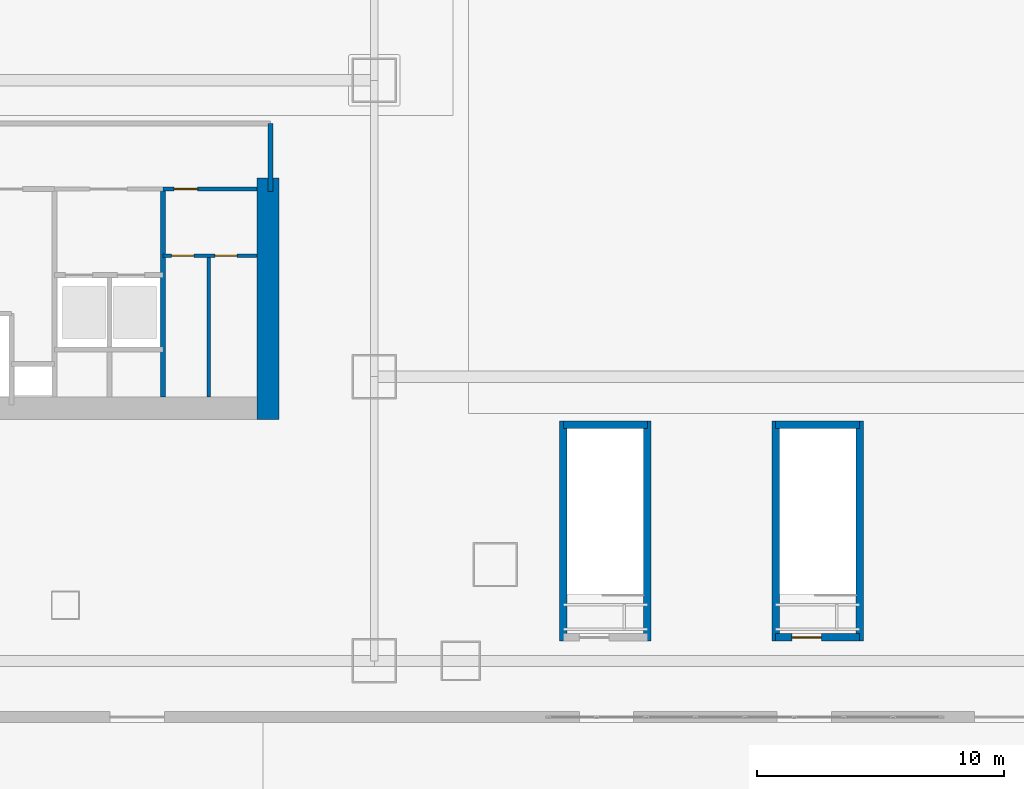
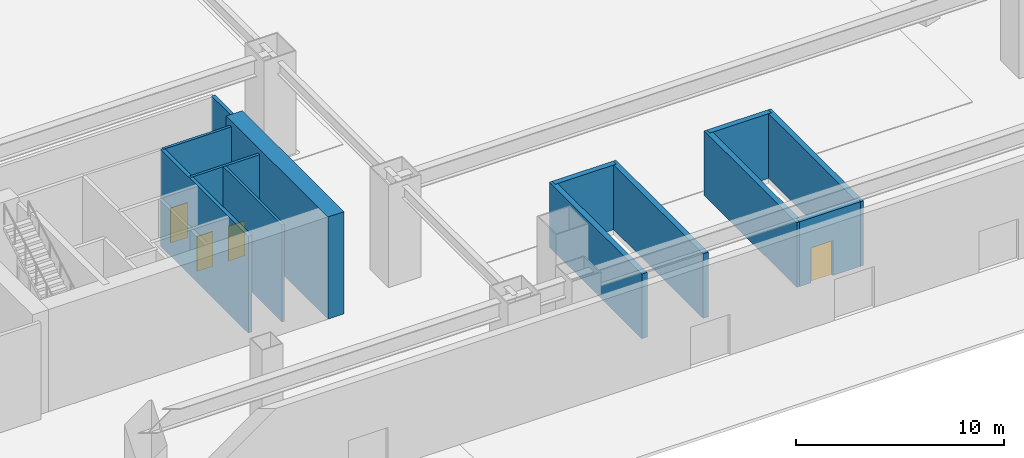
# One storey, part 14 of 31: 13 walls, 4 doors, 4 openings.
"""IFC4 building model written with IfcOpenShell, lengths in metres."""

import ifcopenshell
import ifcopenshell.guid

model = None  # the IFC model being written
_history = None  # IfcOwnerHistory: only IFC2X3 demands one
_inside = {}  # id of a spatial element -> (the spatial element, [elements in it])
_under = {}  # id of a project, library or spatial element -> (it, [spatial elements below it])
_declared = {}  # id of a project -> (the project, [libraries it declares])
_typed = {}  # id of a type object -> (the type object, [elements of that type])
_made_of = {}  # id of a material, layer set ... -> (it, [elements and type objects made of it])


def new_model(schema):
    """Start an empty IFC model of exactly this schema.

    Asked for "IFC4X3", IfcOpenShell would pick the latest addendum, in which some entities
    have other attributes; the version numbers below select the first issue.
    IFC2X3 requires an IfcOwnerHistory on every rooted entity: one is made here for all.
    """
    global model, _history
    if schema == "IFC4X3":
        model = ifcopenshell.file(schema_version=(4, 3, 0, 0))
    else:
        model = ifcopenshell.file(schema=schema)
    _inside.clear()
    _under.clear()
    _declared.clear()
    _typed.clear()
    _made_of.clear()
    _history = None
    if model.schema == "IFC2X3":
        org = make("IfcOrganization", Name="unknown")
        user = make(
            "IfcPersonAndOrganization",
            ThePerson=make("IfcPerson", FamilyName="unknown"),
            TheOrganization=org,
        )
        app = make(
            "IfcApplication",
            ApplicationDeveloper=org,
            Version="unknown",
            ApplicationFullName="unknown",
            ApplicationIdentifier="unknown",
        )
        _history = make(
            "IfcOwnerHistory",
            OwningUser=user,
            OwningApplication=app,
            ChangeAction="ADDED",
            CreationDate=0,
        )
    return model


def make(cls, **values):
    """One entity of the class cls with the attributes given. An attribute that is None is left unset."""
    return model.create_entity(
        cls, **{name: value for name, value in values.items() if value is not None}
    )


def rooted(cls, **values):
    """An entity with a GlobalId (a new one), such as an element, a storey or a relation."""
    return make(cls, GlobalId=ifcopenshell.guid.new(), OwnerHistory=_history, **values)


def si_unit(unit_type, name, prefix=None):
    """IfcSIUnit, for example si_unit("LENGTHUNIT", "METRE", prefix="MILLI")."""
    return make("IfcSIUnit", UnitType=unit_type, Prefix=prefix, Name=name)


def assignment(units):
    """IfcUnitAssignment: the units of a project."""
    return None if units is None else make("IfcUnitAssignment", Units=units)


def point(xyz):
    """IfcCartesianPoint."""
    return None if xyz is None else make("IfcCartesianPoint", Coordinates=xyz)


def direction(xyz):
    """IfcDirection."""
    return None if xyz is None else make("IfcDirection", DirectionRatios=xyz)


def frame(location, z_axis=None, x_axis=None):
    """IfcAxis2Placement3D, a coordinate frame: its origin and axes. An axis left out is left unset."""
    return make(
        "IfcAxis2Placement3D",
        Location=point(location),
        Axis=direction(z_axis),
        RefDirection=direction(x_axis),
    )


def frame_2d(location, x_axis=None):
    """IfcAxis2Placement2D, a coordinate frame in the plane: its origin and x axis."""
    return make(
        "IfcAxis2Placement2D", Location=point(location), RefDirection=direction(x_axis)
    )


def origin():
    """The frame at (0, 0, 0) with its axes left unset."""
    return frame((0.0, 0.0, 0.0))


def place(relative_to, where):
    """IfcLocalPlacement: puts the frame where relative to a parent placement (None: the world)."""
    return make(
        "IfcLocalPlacement", PlacementRelTo=relative_to, RelativePlacement=where
    )


def context(
    kind, dimensions, precision=None, world=None, true_north=None, identifier=None
):
    """IfcGeometricRepresentationContext, for example the 3D "Model" context."""
    return make(
        "IfcGeometricRepresentationContext",
        ContextIdentifier=identifier,
        ContextType=kind,
        CoordinateSpaceDimension=dimensions,
        Precision=precision,
        WorldCoordinateSystem=world,
        TrueNorth=true_north,
    )


def subcontext(parent, identifier, kind, view, scale=None):
    """IfcGeometricRepresentationSubContext, for example "Body" below "Model"."""
    return make(
        "IfcGeometricRepresentationSubContext",
        ContextIdentifier=identifier,
        ContextType=kind,
        ParentContext=parent,
        TargetScale=scale,
        TargetView=view,
    )


def project(units=None, contexts=None):
    """IfcProject with its units and contexts."""
    return rooted(
        "IfcProject",
        Name="project",
        RepresentationContexts=contexts,
        UnitsInContext=assignment(units),
    )


def spatial(cls, under=None, at=None, **own):
    """A site, building, storey or space (cls), placed at a placement, below another one or the project."""
    s = rooted(cls, ObjectPlacement=at, **own)
    if under is not None:
        _under.setdefault(under.id(), (under, []))[1].append(s)
    return s


def profile(cls, at=None, kind="AREA", **sizes):
    """A parametric profile (cls). Its sizes go by their IFC names, for example OverallWidth=200.0."""
    return make(cls, ProfileType=kind, Position=at, **sizes)


def rectangle(**sizes):
    """IfcRectangleProfileDef."""
    return profile("IfcRectangleProfileDef", **sizes)


def extrude(swept, where, along, depth):
    """IfcExtrudedAreaSolid: the profile swept, set in the frame where, extruded along a direction by depth."""
    return make(
        "IfcExtrudedAreaSolid",
        SweptArea=swept,
        Position=where,
        ExtrudedDirection=direction(along),
        Depth=depth,
    )


def shape(context_of_items, identifier, shape_type, items):
    """IfcShapeRepresentation: the items that make up one representation, for example the "Body"."""
    return make(
        "IfcShapeRepresentation",
        ContextOfItems=context_of_items,
        RepresentationIdentifier=identifier,
        RepresentationType=shape_type,
        Items=items,
    )


def material(Name=None, Category=None):
    """IfcMaterial."""
    return make("IfcMaterial", Name=Name, Category=Category)


def layer(
    of_material, thickness, ventilated=None, Name=None, Category=None, Priority=None
):
    """IfcMaterialLayer: one layer of a wall or slab, of a material (None: an air gap)."""
    return make(
        "IfcMaterialLayer",
        Material=of_material,
        LayerThickness=thickness,
        IsVentilated=ventilated,
        Name=Name,
        Category=Category,
        Priority=Priority,
    )


def layer_set(layers, Name=None):
    """IfcMaterialLayerSet."""
    return make("IfcMaterialLayerSet", MaterialLayers=layers, LayerSetName=Name)


def made_of(thing, what):
    """Note that an element or type object is made of a material, layer set ...; save() writes the relation."""
    if what is not None:
        _made_of.setdefault(what.id(), (what, []))[1].append(thing)
    return thing


def type_object(cls, material=None, **own):
    """A type object (cls), such as IfcWallType, which elements share."""
    return made_of(rooted(cls, **own), material)


def element(
    cls,
    number,
    at=None,
    inside=None,
    cuts=None,
    type_object=None,
    material=None,
    context=None,
    identifier="Body",
    shape_type=None,
    held_by="IfcProductDefinitionShape",
    body=None,
    shapes=None,
    **own,
):
    """One element of the class cls, such as IfcWall. Its Tag is "e" and its number.

    at: its placement. inside: the storey or other place that contains it. cuts: it is an
    opening in that element (IfcRelVoidsElement). A single representation is given by context,
    identifier, shape_type and body (its items); several are given by shapes. held_by: the class
    of the entity that holds the representations. save() writes the other relations.
    """
    e = rooted(cls, Tag="e%d" % number, ObjectPlacement=at, **own)
    if body is not None:
        shapes = [shape(context, identifier, shape_type, body)]
    if shapes is not None:
        e.Representation = make(held_by, Representations=shapes)
    if inside is not None:
        _inside.setdefault(inside.id(), (inside, []))[1].append(e)
    if cuts is not None:
        rooted(
            "IfcRelVoidsElement", RelatingBuildingElement=cuts, RelatedOpeningElement=e
        )
    if type_object is not None:
        _typed.setdefault(type_object.id(), (type_object, []))[1].append(e)
    return made_of(e, material)


def fill(opening, filler):
    """IfcRelFillsElement: the door or window that sits in an opening."""
    return rooted(
        "IfcRelFillsElement",
        RelatingOpeningElement=opening,
        RelatedBuildingElement=filler,
    )


def aggregate(whole, parts):
    """IfcRelAggregates: a whole, such as a stair, and the parts it consists of."""
    return rooted("IfcRelAggregates", RelatingObject=whole, RelatedObjects=parts)


def save(model, path):
    """Write the relations noted so far, then the file.

    IfcRelAggregates (storeys below a building ...), IfcRelContainedInSpatialStructure (elements
    in a storey), IfcRelDefinesByType, IfcRelAssociatesMaterial and IfcRelDeclares: one each for
    every whole, place, type object, material and project.
    """
    for whole, parts in _under.values():
        aggregate(whole, parts)
    for where, things in _inside.values():
        rooted(
            "IfcRelContainedInSpatialStructure",
            RelatedElements=things,
            RelatingStructure=where,
        )
    for kind, things in _typed.values():
        rooted("IfcRelDefinesByType", RelatedObjects=things, RelatingType=kind)
    for what, things in _made_of.values():
        rooted("IfcRelAssociatesMaterial", RelatedObjects=things, RelatingMaterial=what)
    for by, libraries in _declared.values():
        rooted("IfcRelDeclares", RelatingContext=by, RelatedDefinitions=libraries)
    model.write(path)


model = new_model("IFC4")

# Units and contexts
model_context = context("Model", 3, precision=1e-05, world=origin(), true_north=direction((0.0, 1.0)))
body_context = subcontext(model_context, "Body", "Model", "MODEL_VIEW")
ifc_project = project(units=[si_unit("LENGTHUNIT", "METRE"), si_unit("AREAUNIT", "SQUARE_METRE"), si_unit("VOLUMEUNIT", "CUBIC_METRE"), si_unit("PLANEANGLEUNIT", "RADIAN"), si_unit("MASSUNIT", "GRAM", prefix="KILO")], contexts=[model_context])

# Site, building, storey
site_placement = place(None, origin())
site = spatial("IfcSite", under=ifc_project, at=site_placement, CompositionType="ELEMENT")
building_placement = place(site_placement, origin())
building = spatial("IfcBuilding", under=site, at=building_placement, Name="Qiaolan Cultural Towers", CompositionType="ELEMENT")
storey_placement = place(building_placement, origin())
storey = spatial("IfcBuildingStorey", under=building, at=storey_placement, Name="L00", CompositionType="ELEMENT", Elevation=0.0)

# Walls
ifc_material_1 = material(Name="Concrete C50", Category="concrete")
ifc_layer_1 = layer(ifc_material_1, 0.35009765625)
ifc_layer_set_1 = layer_set([ifc_layer_1], Name="Concrete C50")
wall_type_1 = type_object("IfcWallType", Name="WL-CORE-350", PredefinedType="SHEAR", material=ifc_layer_set_1)
for number, where, z_axis, x_axis, name in (
    (1, (50.14990234375, 3.300048828125, 0.0), (0.0, 0.0, 1.0), (0.0, 1.0, 0.0), "L00 STM1 Stair Shaft Wall W"),
    (2, (53.550048828125, 3.300048828125, 0.0), (0.0, 0.0, 1.0), (0.0, 1.0, 0.0), "L00 STM1 Stair Shaft Wall E"),
):
    element("IfcWall", number, at=place(storey_placement, frame(where, z_axis=z_axis, x_axis=x_axis)), inside=storey, type_object=wall_type_1, Name=name, PredefinedType="SHEAR", context=body_context, shape_type="SweptSolid", body=[
        extrude(rectangle(XDim=8.89990234375, YDim=0.300048828125, at=frame_2d((4.449951171875, 0.0))), origin(), (0.0, 0.0, 1.0), 3.800048828125),
    ])
wall_1_placement = place(storey_placement, frame((50.14990234375, 12.050048828125, 0.0), z_axis=(0.0, 0.0, 1.0), x_axis=(1.0, 0.0, 0.0)))
element("IfcWall", 3, at=wall_1_placement, inside=storey, type_object=wall_type_1, Name="L00 STM1 Stair Shaft Wall N", PredefinedType="SHEAR", context=body_context, shape_type="SweptSolid", body=[
    extrude(rectangle(XDim=3.400146484375, YDim=0.300048828125, at=frame_2d((1.7001953125, 0.0))), origin(), (0.0, 0.0, 1.0), 3.800048828125),
])
for number, where, z_axis, x_axis, name in (
    (4, (58.75, 3.300048828125, 0.0), (0.0, 0.0, 1.0), (0.0, 1.0, 0.0), "L00 STM2 Stair Shaft Wall W"),
    (5, (62.14990234375, 3.300048828125, 0.0), (0.0, 0.0, 1.0), (0.0, 1.0, 0.0), "L00 STM2 Stair Shaft Wall E"),
):
    element("IfcWall", number, at=place(storey_placement, frame(where, z_axis=z_axis, x_axis=x_axis)), inside=storey, type_object=wall_type_1, Name=name, PredefinedType="SHEAR", context=body_context, shape_type="SweptSolid", body=[
        extrude(rectangle(XDim=8.89990234375, YDim=0.300048828125, at=frame_2d((4.449951171875, 0.0))), origin(), (0.0, 0.0, 1.0), 3.800048828125),
    ])
wall_2_placement = place(storey_placement, frame((58.75, 12.050048828125, 0.0), z_axis=(0.0, 0.0, 1.0), x_axis=(1.0, 0.0, 0.0)))
element("IfcWall", 6, at=wall_2_placement, inside=storey, type_object=wall_type_1, Name="L00 STM2 Stair Shaft Wall N", PredefinedType="SHEAR", context=body_context, shape_type="SweptSolid", body=[
    extrude(rectangle(XDim=3.39990234375, YDim=0.300048828125, at=frame_2d((1.699951171875, 0.0))), origin(), (0.0, 0.0, 1.0), 3.800048828125),
])

# Wall, opening, door
wall_3_placement = place(storey_placement, frame((58.75, 3.449951171875, 0.0), z_axis=(0.0, 0.0, 1.0), x_axis=(1.0, 0.0, 0.0)))
wall_3 = element("IfcWall", 7, at=wall_3_placement, inside=storey, type_object=wall_type_1, Name="L00 STM2 Stair Shaft Wall S", PredefinedType="SHEAR", context=body_context, shape_type="SweptSolid", body=[
    extrude(rectangle(XDim=3.39990234375, YDim=0.300048828125, at=frame_2d((1.699951171875, 0.0))), origin(), (0.0, 0.0, 1.0), 3.800048828125),
])
opening_1_placement = place(wall_3_placement, frame((0.64990234375, 0.0, 0.0)))
opening_1 = element("IfcOpeningElement", 8, at=opening_1_placement, cuts=wall_3, Name="Opening FD-03", PredefinedType="OPENING", context=body_context, shape_type="SweptSolid", body=[
    extrude(rectangle(XDim=1.199951171875, YDim=2.050048828125, at=frame_2d((0.60009765625, 1.02490234375))), frame((0.0, 0.159912109375, 0.0), z_axis=(0.0, -1.0, 0.0), x_axis=(1.0, 0.0, 0.0)), (0.0, 0.0, 1.0), 0.320068359375),
])
ifc_material_2 = material(Name="Galvanized Steel Smokeproof Lobby Fire Door", Category="steel")
door_type_1 = type_object("IfcDoorType", Name="DR-FD90-1200", OperationType="NOTDEFINED", PredefinedType="DOOR", material=ifc_material_2)
door_1_placement = place(opening_1_placement, origin())
door_1 = element("IfcDoor", 9, at=door_1_placement, inside=storey, type_object=door_type_1, Name="L00 Exit Stair ST-M2 Fire Door", OperationType="SINGLE_SWING_LEFT", OverallHeight=2.050048828125, OverallWidth=1.199951171875, PredefinedType="DOOR", context=body_context, shape_type="SweptSolid", body=[
    extrude(rectangle(XDim=1.199951171875, YDim=2.050048828125, at=frame_2d((0.60009765625, 1.02490234375))), frame((0.0, 0.02490234375, 0.0), z_axis=(0.0, -1.0, 0.0), x_axis=(1.0, 0.0, 0.0)), (0.0, 0.0, 1.0), 0.050048828125),
])
fill(opening_1, door_1)

# Walls
ifc_material_3 = material(Name="Concrete C60", Category="concrete")
ifc_layer_2 = layer(ifc_material_3, 0.89990234375)
ifc_layer_set_2 = layer_set([ifc_layer_2], Name="Concrete C60")
wall_type_2 = type_object("IfcWallType", Name="WL-CORE-900", PredefinedType="SHEAR", material=ifc_layer_set_2)
wall_4_placement = place(storey_placement, frame((38.199951171875, 22.050048828125, 0.0), z_axis=(0.0, 0.0, 1.0), x_axis=(0.0, -1.0, 0.0)))
element("IfcWall", 10, at=wall_4_placement, inside=storey, type_object=wall_type_2, Name="L00 T1-CS East Core Shear Wall", PredefinedType="SHEAR", context=body_context, shape_type="SweptSolid", body=[
    extrude(rectangle(XDim=9.780029296875, YDim=0.89990234375, at=frame_2d((4.89013671875, 0.0))), origin(), (0.0, 0.0, 1.0), 6.0),
])
ifc_material_4 = material(Name="Concrete C35 Fire Wall", Category="concrete")
ifc_layer_3 = layer(ifc_material_4, 0.199951171875)
ifc_layer_set_3 = layer_set([ifc_layer_3], Name="Concrete C35 Fire Wall")
wall_type_3 = type_object("IfcWallType", Name="WL-FIRE-200", PredefinedType="PARTITIONING", material=ifc_layer_set_3)
wall_5_placement = place(storey_placement, frame((33.949951171875, 21.60009765625, 0.0), z_axis=(0.0, 0.0, 1.0), x_axis=(0.0, -1.0, 0.0)))
element("IfcWall", 11, at=wall_5_placement, inside=storey, type_object=wall_type_3, Name="L00 T1-CS Lift Core East Wall", PredefinedType="PARTITIONING", context=body_context, shape_type="SweptSolid", body=[
    extrude(rectangle(XDim=8.43017578125, YDim=0.199951171875, at=frame_2d((4.215087890625, 0.0))), origin(), (0.0, 0.0, 1.0), 5.68505859375),
])
wall_6_placement = place(storey_placement, frame((38.300048828125, 21.5, 0.0), z_axis=(0.0, 0.0, 1.0), x_axis=(0.0, 1.0, 0.0)))
element("IfcWall", 12, at=wall_6_placement, inside=storey, type_object=wall_type_3, Name="L00 Podium Partition L00-W1-PASE", PredefinedType="PARTITIONING", context=body_context, shape_type="SweptSolid", body=[
    extrude(rectangle(XDim=2.75, YDim=0.199951171875, at=frame_2d((1.375, 0.0))), origin(), (0.0, 0.0, 1.0), 5.68505859375),
])

# Wall, opening, door
ifc_material_5 = material(Name="Autoclaved Aerated Concrete Block B06", Category="concrete")
ifc_layer_4 = layer(ifc_material_5, 0.14990234375)
ifc_layer_set_4 = layer_set([ifc_layer_4], Name="Autoclaved Aerated Concrete Block B06")
wall_type_4 = type_object("IfcWallType", Name="WL-PART-150", PredefinedType="PARTITIONING", material=ifc_layer_set_4)
wall_7_placement = place(storey_placement, frame((33.949951171875, 21.60009765625, 0.0), z_axis=(0.0, 0.0, 1.0), x_axis=(1.0, 0.0, 0.0)))
wall_7 = element("IfcWall", 13, at=wall_7_placement, inside=storey, type_object=wall_type_4, Name="L00 T1-CS Sanitary Core Front Wall", PredefinedType="PARTITIONING", context=body_context, shape_type="SweptSolid", body=[
    extrude(rectangle(XDim=3.800048828125, YDim=0.14990234375, at=frame_2d((1.89990234375, 0.0))), origin(), (0.0, 0.0, 1.0), 5.68505859375),
])
opening_2_placement = place(wall_7_placement, frame((0.449951171875, 0.0, 0.0)))
opening_2 = element("IfcOpeningElement", 14, at=opening_2_placement, cuts=wall_7, Name="Opening ID-05", PredefinedType="OPENING", context=body_context, shape_type="SweptSolid", body=[
    extrude(rectangle(XDim=0.949951171875, YDim=2.050048828125, at=frame_2d((0.47509765625, 1.02490234375))), frame((0.0, 0.0849609375, 0.0), z_axis=(0.0, -1.0, 0.0), x_axis=(1.0, 0.0, 0.0)), (0.0, 0.0, 1.0), 0.169921875),
])
ifc_material_6 = material(Name="Fire-Rated Laminate Accessible Core Door", Category="timber")
door_type_2 = type_object("IfcDoorType", Name="DR-INT-950", OperationType="NOTDEFINED", PredefinedType="DOOR", material=ifc_material_6)
door_2_placement = place(opening_2_placement, origin())
door_2 = element("IfcDoor", 15, at=door_2_placement, inside=storey, type_object=door_type_2, Name="L00 Sanitary Vestibule Door", OperationType="SINGLE_SWING_LEFT", OverallHeight=2.050048828125, OverallWidth=0.949951171875, PredefinedType="DOOR", context=body_context, shape_type="SweptSolid", body=[
    extrude(rectangle(XDim=0.949951171875, YDim=2.050048828125, at=frame_2d((0.47509765625, 1.02490234375))), frame((0.0, 0.02490234375, 0.0), z_axis=(0.0, -1.0, 0.0), x_axis=(1.0, 0.0, 0.0)), (0.0, 0.0, 1.0), 0.050048828125),
])
fill(opening_2, door_2)

# Wall, openings, doors
wall_8_placement = place(storey_placement, frame((33.949951171875, 18.89990234375, 0.0), z_axis=(0.0, 0.0, 1.0), x_axis=(1.0, 0.0, 0.0)))
wall_8 = element("IfcWall", 16, at=wall_8_placement, inside=storey, type_object=wall_type_4, Name="L00 T1-CS Restroom Vestibule Wall", PredefinedType="PARTITIONING", context=body_context, shape_type="SweptSolid", body=[
    extrude(rectangle(XDim=3.800048828125, YDim=0.14990234375, at=frame_2d((1.89990234375, 0.0))), origin(), (0.0, 0.0, 1.0), 5.68505859375),
])
opening_3_placement = place(wall_8_placement, frame((0.35009765625, 0.0, 0.0)))
opening_3 = element("IfcOpeningElement", 17, at=opening_3_placement, cuts=wall_8, Name="Opening ID-06", PredefinedType="OPENING", context=body_context, shape_type="SweptSolid", body=[
    extrude(rectangle(XDim=0.89990234375, YDim=2.050048828125, at=frame_2d((0.449951171875, 1.02490234375))), frame((0.0, 0.0849609375, 0.0), z_axis=(0.0, -1.0, 0.0), x_axis=(1.0, 0.0, 0.0)), (0.0, 0.0, 1.0), 0.169921875),
])
opening_4_placement = place(wall_8_placement, frame((2.10009765625, 0.0, 0.0)))
opening_4 = element("IfcOpeningElement", 18, at=opening_4_placement, cuts=wall_8, Name="Opening ID-06", PredefinedType="OPENING", context=body_context, shape_type="SweptSolid", body=[
    extrude(rectangle(XDim=0.89990234375, YDim=2.050048828125, at=frame_2d((0.449951171875, 1.02490234375))), frame((0.0, 0.0849609375, 0.0), z_axis=(0.0, -1.0, 0.0), x_axis=(1.0, 0.0, 0.0)), (0.0, 0.0, 1.0), 0.169921875),
])
ifc_material_7 = material(Name="Fire-Rated Laminate Core Service Door", Category="timber")
door_type_3 = type_object("IfcDoorType", Name="DR-INT-900", OperationType="NOTDEFINED", PredefinedType="DOOR", material=ifc_material_7)
door_3_placement = place(opening_3_placement, origin())
door_3 = element("IfcDoor", 19, at=door_3_placement, inside=storey, type_object=door_type_3, Name="L00 Men Restroom Door", OperationType="SINGLE_SWING_LEFT", OverallHeight=2.050048828125, OverallWidth=0.89990234375, PredefinedType="DOOR", context=body_context, shape_type="SweptSolid", body=[
    extrude(rectangle(XDim=0.89990234375, YDim=2.050048828125, at=frame_2d((0.449951171875, 1.02490234375))), frame((0.0, 0.02490234375, 0.0), z_axis=(0.0, -1.0, 0.0), x_axis=(1.0, 0.0, 0.0)), (0.0, 0.0, 1.0), 0.050048828125),
])
fill(opening_3, door_3)
door_4_placement = place(opening_4_placement, origin())
door_4 = element("IfcDoor", 20, at=door_4_placement, inside=storey, type_object=door_type_3, Name="L00 Accessible & Women Restroom Door", OperationType="SINGLE_SWING_RIGHT", OverallHeight=2.050048828125, OverallWidth=0.89990234375, PredefinedType="DOOR", context=body_context, shape_type="SweptSolid", body=[
    extrude(rectangle(XDim=0.89990234375, YDim=2.050048828125, at=frame_2d((0.449951171875, 1.02490234375))), frame((0.0, 0.02490234375, 0.0), z_axis=(0.0, -1.0, 0.0), x_axis=(1.0, 0.0, 0.0)), (0.0, 0.0, 1.0), 0.050048828125),
])
fill(opening_4, door_4)

# Wall
wall_9_placement = place(storey_placement, frame((35.800048828125, 18.89990234375, 0.0), z_axis=(0.0, 0.0, 1.0), x_axis=(0.0, -1.0, 0.0)))
element("IfcWall", 21, at=wall_9_placement, inside=storey, type_object=wall_type_4, Name="L00 T1-CS Restroom Divider Wall", PredefinedType="PARTITIONING", context=body_context, shape_type="SweptSolid", body=[
    extrude(rectangle(XDim=5.72998046875, YDim=0.14990234375, at=frame_2d((2.864990234375, 0.0))), origin(), (0.0, 0.0, 1.0), 5.68505859375),
])

save(model, "model.ifc")
